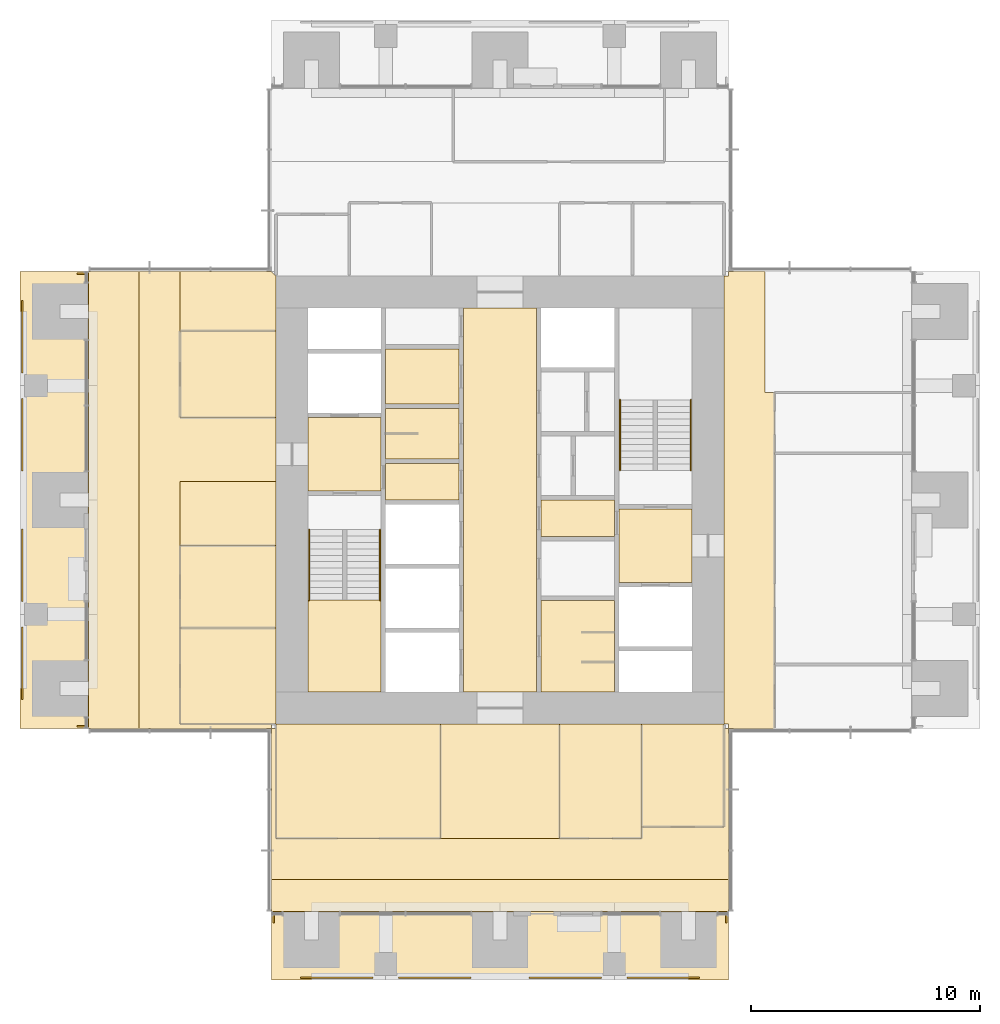
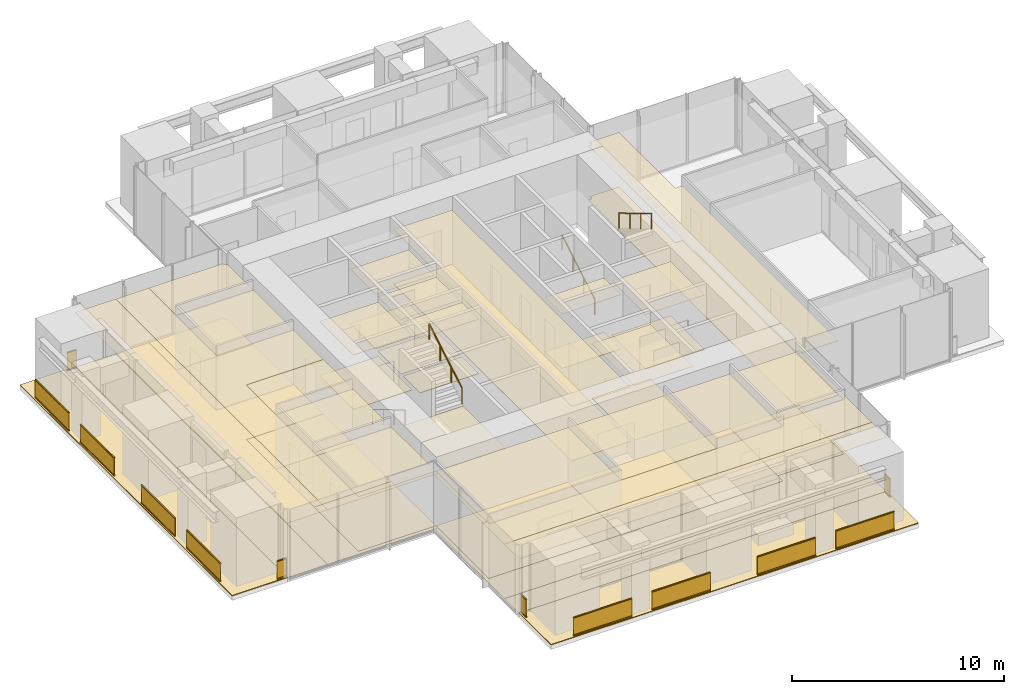
# One storey, part 15 of 17: 47 coverings, 16 railings.
"""IFC4 building model written with IfcOpenShell, lengths in metres."""

from ifc_helpers import new_model, si_unit, direction, frame, origin, origin_2d, place, context, subcontext, project, spatial, polyline, rectangle, circle, outline, extrude, material, layer, layer_set, type_object, element, save


model = new_model("IFC4")

# Units and contexts
model_context = context("Model", 3, precision=1e-05, world=origin(), true_north=direction((0.0, 1.0)))
body_context = subcontext(model_context, "Body", "Model", "MODEL_VIEW")
ifc_project = project(units=[si_unit("LENGTHUNIT", "METRE"), si_unit("AREAUNIT", "SQUARE_METRE"), si_unit("VOLUMEUNIT", "CUBIC_METRE"), si_unit("PLANEANGLEUNIT", "RADIAN"), si_unit("MASSUNIT", "GRAM", prefix="KILO")], contexts=[model_context])

# Site, building, storey
site_placement = place(None, origin())
site = spatial("IfcSite", under=ifc_project, at=site_placement, CompositionType="ELEMENT")
building_placement = place(site_placement, origin())
building = spatial("IfcBuilding", under=site, at=building_placement, Name="Svetlomir Tower", CompositionType="ELEMENT")
storey_placement = place(building_placement, frame((0.0, 0.0, 178.5)))
storey = spatial("IfcBuildingStorey", under=building, at=storey_placement, Name="L42", CompositionType="ELEMENT", Elevation=178.5)

# Railings
ifc_material_1 = material(Name="Bronze anodised aluminium and laminated glass", Category="aluminium")
railing_type_1 = type_object("IfcRailingType", Name="BALCONY GUARD GR1 1100", PredefinedType="GUARDRAIL", material=ifc_material_1)
for number, where, name in (
    (1, (12.27490234375, 0.10009765625, 0.0), "Loggia guard S L42 bay 1"),
    (2, (16.550048828125, 0.10009765625, 0.0), "Loggia guard S L42 bay 2"),
    (3, (22.27490234375, 0.10009765625, 0.0), "Loggia guard S L42 bay 3"),
    (4, (26.550048828125, 0.10009765625, 0.0), "Loggia guard S L42 bay 4"),
):
    element("IfcRailing", number, at=place(storey_placement, frame(where)), inside=storey, type_object=railing_type_1, Name=name, PredefinedType="GUARDRAIL", context=body_context, shape_type="SweptSolid", body=[
        extrude(rectangle(XDim=0.06005859375, YDim=0.10009765625, at=origin_2d()), frame((0.0, 0.0, 0.050048828125), z_axis=(1.0, 0.0, 0.0), x_axis=(0.0, 1.0, 0.0)), (0.0, 0.0, 1.0), 3.175048828125),
        extrude(rectangle(XDim=0.021484375, YDim=0.960205078125, at=origin_2d()), frame((0.0, 0.0, 0.580078125), z_axis=(1.0, 0.0, 0.0), x_axis=(0.0, 1.0, 0.0)), (0.0, 0.0, 1.0), 3.175048828125),
        extrude(rectangle(XDim=0.06005859375, YDim=0.0400390625, at=origin_2d()), frame((0.0, 0.0, 1.080078125), z_axis=(1.0, 0.0, 0.0), x_axis=(0.0, 1.0, 0.0)), (0.0, 0.0, 1.0), 3.175048828125),
    ])
for number, where, name in (
    (5, (11.10009765625, 2.5, 0.0), "Loggia guard S L42 end 1"),
    (6, (30.89990234375, 2.5, 0.0), "Loggia guard S L42 end 2"),
):
    element("IfcRailing", number, at=place(storey_placement, frame(where)), inside=storey, type_object=railing_type_1, Name=name, PredefinedType="GUARDRAIL", context=body_context, shape_type="SweptSolid", body=[
        extrude(rectangle(XDim=0.06005859375, YDim=0.10009765625, at=origin_2d()), frame((0.0, 0.0, 0.050048828125), z_axis=(0.0, 1.0, 0.0), x_axis=(-1.0, 0.0, 0.0)), (0.0, 0.0, 1.0), 0.5),
        extrude(rectangle(XDim=0.021484375, YDim=0.960205078125, at=origin_2d()), frame((0.0, 0.0, 0.580078125), z_axis=(0.0, 1.0, 0.0), x_axis=(-1.0, 0.0, 0.0)), (0.0, 0.0, 1.0), 0.5),
        extrude(rectangle(XDim=0.06005859375, YDim=0.0400390625, at=origin_2d()), frame((0.0, 0.0, 1.080078125), z_axis=(0.0, 1.0, 0.0), x_axis=(-1.0, 0.0, 0.0)), (0.0, 0.0, 1.0), 0.5),
    ])
for number, where, name in (
    (7, (0.10009765625, 12.27490234375, 0.0), "Loggia guard W L42 bay 1"),
    (8, (0.10009765625, 16.550048828125, 0.0), "Loggia guard W L42 bay 2"),
    (9, (0.10009765625, 22.27490234375, 0.0), "Loggia guard W L42 bay 3"),
    (10, (0.10009765625, 26.550048828125, 0.0), "Loggia guard W L42 bay 4"),
):
    element("IfcRailing", number, at=place(storey_placement, frame(where)), inside=storey, type_object=railing_type_1, Name=name, PredefinedType="GUARDRAIL", context=body_context, shape_type="SweptSolid", body=[
        extrude(rectangle(XDim=0.06005859375, YDim=0.10009765625, at=origin_2d()), frame((0.0, 0.0, 0.050048828125), z_axis=(0.0, 1.0, 0.0), x_axis=(-1.0, 0.0, 0.0)), (0.0, 0.0, 1.0), 3.175048828125),
        extrude(rectangle(XDim=0.021484375, YDim=0.960205078125, at=origin_2d()), frame((0.0, 0.0, 0.580078125), z_axis=(0.0, 1.0, 0.0), x_axis=(-1.0, 0.0, 0.0)), (0.0, 0.0, 1.0), 3.175048828125),
        extrude(rectangle(XDim=0.06005859375, YDim=0.0400390625, at=origin_2d()), frame((0.0, 0.0, 1.080078125), z_axis=(0.0, 1.0, 0.0), x_axis=(-1.0, 0.0, 0.0)), (0.0, 0.0, 1.0), 3.175048828125),
    ])
for number, where, name in (
    (11, (2.5, 11.10009765625, 0.0), "Loggia guard W L42 end 1"),
    (12, (2.5, 30.89990234375, 0.0), "Loggia guard W L42 end 2"),
):
    element("IfcRailing", number, at=place(storey_placement, frame(where)), inside=storey, type_object=railing_type_1, Name=name, PredefinedType="GUARDRAIL", context=body_context, shape_type="SweptSolid", body=[
        extrude(rectangle(XDim=0.06005859375, YDim=0.10009765625, at=origin_2d()), frame((0.0, 0.0, 0.050048828125), z_axis=(1.0, 0.0, 0.0), x_axis=(0.0, 1.0, 0.0)), (0.0, 0.0, 1.0), 0.5),
        extrude(rectangle(XDim=0.021484375, YDim=0.960205078125, at=origin_2d()), frame((0.0, 0.0, 0.580078125), z_axis=(1.0, 0.0, 0.0), x_axis=(0.0, 1.0, 0.0)), (0.0, 0.0, 1.0), 0.5),
        extrude(rectangle(XDim=0.06005859375, YDim=0.0400390625, at=origin_2d()), frame((0.0, 0.0, 1.080078125), z_axis=(1.0, 0.0, 0.0), x_axis=(0.0, 1.0, 0.0)), (0.0, 0.0, 1.0), 0.5),
    ])

# Coverings
ifc_material_2 = material(Name="Granite paving slabs on pedestals", Category="masonry")
ifc_layer_1 = layer(ifc_material_2, 0.0400390625)
ifc_layer_set_1 = layer_set([ifc_layer_1], Name="Granite paving slabs on pedestals")
covering_type_1 = type_object("IfcCoveringType", Name="BALCONY PAVING 40", PredefinedType="USERDEFINED", material=ifc_layer_set_1)
covering_1_placement = place(storey_placement, origin())
element("IfcCovering", 13, at=covering_1_placement, inside=storey, type_object=covering_type_1, Name="Loggia paving S L42", ObjectType="BALCONY PAVING", PredefinedType="USERDEFINED", context=body_context, shape_type="SweptSolid", body=[
    extrude(outline(polyline([(11.0, 0.0), (31.0, 0.0), (31.0, 3.0), (11.0, 3.0), (11.0, 0.0)])), origin(), (0.0, 0.0, 1.0), 0.0400390625),
])
covering_2_placement = place(storey_placement, origin())
element("IfcCovering", 14, at=covering_2_placement, inside=storey, type_object=covering_type_1, Name="Loggia paving W L42", ObjectType="BALCONY PAVING", PredefinedType="USERDEFINED", context=body_context, shape_type="SweptSolid", body=[
    extrude(outline(polyline([(0.0, 11.0), (3.0, 11.0), (3.0, 31.0), (0.0, 31.0), (0.0, 11.0)])), origin(), (0.0, 0.0, 1.0), 0.0400390625),
])
ifc_material_3 = material(Name="Carpet tile", Category="textile")
ifc_layer_2 = layer(ifc_material_3, 0.010009765625)
ifc_layer_set_2 = layer_set([ifc_layer_2], Name="Carpet tile")
covering_type_2 = type_object("IfcCoveringType", Name="CARPET TILE FLOOR 10", PredefinedType="FLOORING", material=ifc_layer_set_2)
covering_3_placement = place(storey_placement, origin())
element("IfcCovering", 15, at=covering_3_placement, inside=storey, type_object=covering_type_2, Name="Floor finish L42-17", PredefinedType="FLOORING", context=body_context, shape_type="SweptSolid", body=[
    extrude(outline(polyline([(11.199951171875, 6.199951171875), (18.39990234375, 6.199951171875), (18.39990234375, 11.199951171875), (11.199951171875, 11.199951171875), (11.199951171875, 6.199951171875)])), origin(), (0.0, 0.0, 1.0), 0.010009765625),
])
covering_4_placement = place(storey_placement, origin())
element("IfcCovering", 16, at=covering_4_placement, inside=storey, type_object=covering_type_2, Name="Floor finish L42-18", PredefinedType="FLOORING", context=body_context, shape_type="SweptSolid", body=[
    extrude(outline(polyline([(23.60009765625, 6.199951171875), (27.199951171875, 6.199951171875), (27.199951171875, 11.199951171875), (23.60009765625, 11.199951171875), (23.60009765625, 6.199951171875)])), origin(), (0.0, 0.0, 1.0), 0.010009765625),
])
covering_5_placement = place(storey_placement, origin())
element("IfcCovering", 17, at=covering_5_placement, inside=storey, type_object=covering_type_2, Name="Floor finish L42-19", PredefinedType="FLOORING", context=body_context, shape_type="SweptSolid", body=[
    extrude(outline(polyline([(27.199951171875, 6.699951171875), (30.800048828125, 6.699951171875), (30.800048828125, 11.199951171875), (27.199951171875, 11.199951171875), (27.199951171875, 6.699951171875)])), origin(), (0.0, 0.0, 1.0), 0.010009765625),
])
covering_6_placement = place(storey_placement, origin())
element("IfcCovering", 18, at=covering_6_placement, inside=storey, type_object=covering_type_2, Name="Floor finish L42-28", PredefinedType="FLOORING", context=body_context, shape_type="SweptSolid", body=[
    extrude(outline(polyline([(7.0, 11.199951171875), (11.199951171875, 11.199951171875), (11.199951171875, 15.39990234375), (7.0, 15.39990234375), (7.0, 11.199951171875)])), origin(), (0.0, 0.0, 1.0), 0.010009765625),
])
covering_7_placement = place(storey_placement, origin())
element("IfcCovering", 19, at=covering_7_placement, inside=storey, type_object=covering_type_2, Name="Floor finish L42-29", PredefinedType="FLOORING", context=body_context, shape_type="SweptSolid", body=[
    extrude(outline(polyline([(7.0, 15.39990234375), (11.199951171875, 15.39990234375), (11.199951171875, 19.0), (7.0, 19.0), (7.0, 15.39990234375)])), origin(), (0.0, 0.0, 1.0), 0.010009765625),
])
covering_8_placement = place(storey_placement, origin())
element("IfcCovering", 20, at=covering_8_placement, inside=storey, type_object=covering_type_2, Name="Floor finish L42-30", PredefinedType="FLOORING", context=body_context, shape_type="SweptSolid", body=[
    extrude(outline(polyline([(7.0, 24.60009765625), (11.199951171875, 24.60009765625), (11.199951171875, 28.39990234375), (7.0, 28.39990234375), (7.0, 24.60009765625)])), origin(), (0.0, 0.0, 1.0), 0.010009765625),
])
covering_9_placement = place(storey_placement, origin())
element("IfcCovering", 21, at=covering_9_placement, inside=storey, type_object=covering_type_2, Name="Floor finish L42-31", PredefinedType="FLOORING", context=body_context, shape_type="SweptSolid", body=[
    extrude(outline(polyline([(5.199951171875, 11.0), (5.199951171875, 31.0), (7.0, 31.0), (7.0, 24.60009765625), (11.199951171875, 24.60009765625), (11.199951171875, 21.800048828125), (7.0, 21.800048828125), (7.0, 11.199951171875), (11.0, 11.199951171875), (11.0, 11.0), (5.199951171875, 11.0)])), origin(), (0.0, 0.0, 1.0), 0.010009765625),
])
covering_10_placement = place(storey_placement, origin())
element("IfcCovering", 22, at=covering_10_placement, inside=storey, type_object=covering_type_2, Name="Floor finish L42-32", PredefinedType="FLOORING", context=body_context, shape_type="SweptSolid", body=[
    extrude(outline(polyline([(11.199951171875, 6.199951171875), (27.199951171875, 6.199951171875), (27.199951171875, 6.699951171875), (30.800048828125, 6.699951171875), (30.800048828125, 11.0), (31.0, 11.0), (31.0, 4.39990234375), (11.0, 4.39990234375), (11.0, 11.0), (11.199951171875, 11.0), (11.199951171875, 6.199951171875)])), origin(), (0.0, 0.0, 1.0), 0.010009765625),
])
covering_11_placement = place(storey_placement, origin())
element("IfcCovering", 23, at=covering_11_placement, inside=storey, type_object=covering_type_2, Name="Floor finish L42-33", PredefinedType="FLOORING", context=body_context, shape_type="SweptSolid", body=[
    extrude(outline(polyline([(30.800048828125, 11.199951171875), (30.800048828125, 30.800048828125), (31.0, 30.800048828125), (31.0, 31.0), (32.60009765625, 31.0), (32.60009765625, 25.699951171875), (33.0, 25.699951171875), (33.0, 11.0), (31.0, 11.0), (31.0, 11.199951171875), (30.800048828125, 11.199951171875)])), origin(), (0.0, 0.0, 1.0), 0.010009765625),
])
covering_12_placement = place(storey_placement, origin())
element("IfcCovering", 24, at=covering_12_placement, inside=storey, type_object=covering_type_2, Name="Floor finish L42-35", PredefinedType="FLOORING", context=body_context, shape_type="SweptSolid", body=[
    extrude(outline(polyline([(11.0, 3.0), (11.0, 4.39990234375), (31.0, 4.39990234375), (31.0, 3.0), (11.0, 3.0)])), origin(), (0.0, 0.0, 1.0), 0.010009765625),
])
covering_13_placement = place(storey_placement, origin())
element("IfcCovering", 25, at=covering_13_placement, inside=storey, type_object=covering_type_2, Name="Floor finish L42-36", PredefinedType="FLOORING", context=body_context, shape_type="SweptSolid", body=[
    extrude(outline(polyline([(23.60009765625, 11.199951171875), (23.60009765625, 6.199951171875), (18.39990234375, 6.199951171875), (18.39990234375, 11.199951171875), (23.60009765625, 11.199951171875)])), origin(), (0.0, 0.0, 1.0), 0.010009765625),
])
covering_14_placement = place(storey_placement, origin())
element("IfcCovering", 26, at=covering_14_placement, inside=storey, type_object=covering_type_2, Name="Floor finish L42-41", PredefinedType="FLOORING", context=body_context, shape_type="SweptSolid", body=[
    extrude(outline(polyline([(3.0, 31.0), (5.199951171875, 31.0), (5.199951171875, 11.0), (3.0, 11.0), (3.0, 31.0)])), origin(), (0.0, 0.0, 1.0), 0.010009765625),
])
covering_15_placement = place(storey_placement, origin())
element("IfcCovering", 27, at=covering_15_placement, inside=storey, type_object=covering_type_2, Name="Floor finish L42-42", PredefinedType="FLOORING", context=body_context, shape_type="SweptSolid", body=[
    extrude(outline(polyline([(11.199951171875, 28.39990234375), (7.0, 28.39990234375), (7.0, 31.0), (11.0, 31.0), (11.199951171875, 30.800048828125), (11.199951171875, 28.39990234375)])), origin(), (0.0, 0.0, 1.0), 0.010009765625),
])
covering_16_placement = place(storey_placement, origin())
element("IfcCovering", 28, at=covering_16_placement, inside=storey, type_object=covering_type_2, Name="Floor finish L42-43", PredefinedType="FLOORING", context=body_context, shape_type="SweptSolid", body=[
    extrude(outline(polyline([(7.0, 19.0), (7.0, 21.800048828125), (11.199951171875, 21.800048828125), (11.199951171875, 19.0), (7.0, 19.0)])), origin(), (0.0, 0.0, 1.0), 0.010009765625),
])
ifc_material_4 = material(Name="Ceramic floor tile", Category="ceramic")
ifc_layer_3 = layer(ifc_material_4, 0.014892578125)
ifc_layer_set_3 = layer_set([ifc_layer_3], Name="Ceramic floor tile")
covering_type_3 = type_object("IfcCoveringType", Name="CERAMIC TILE FLOOR 15", PredefinedType="FLOORING", material=ifc_layer_set_3)
covering_17_placement = place(storey_placement, origin())
element("IfcCovering", 29, at=covering_17_placement, inside=storey, type_object=covering_type_3, Name="Floor finish L42-04", PredefinedType="FLOORING", context=body_context, shape_type="SweptSolid", body=[
    extrude(outline(polyline([(16.0, 22.800048828125), (19.199951171875, 22.800048828125), (19.199951171875, 25.0), (16.0, 25.0), (16.0, 22.800048828125)])), origin(), (0.0, 0.0, 1.0), 0.014892578125),
])
covering_18_placement = place(storey_placement, origin())
element("IfcCovering", 30, at=covering_18_placement, inside=storey, type_object=covering_type_3, Name="Floor finish L42-05", PredefinedType="FLOORING", context=body_context, shape_type="SweptSolid", body=[
    extrude(outline(polyline([(16.0, 25.199951171875), (19.199951171875, 25.199951171875), (19.199951171875, 27.60009765625), (16.0, 27.60009765625), (16.0, 25.199951171875)])), origin(), (0.0, 0.0, 1.0), 0.014892578125),
])
covering_19_placement = place(storey_placement, origin())
element("IfcCovering", 31, at=covering_19_placement, inside=storey, type_object=covering_type_3, Name="Floor finish L42-08", PredefinedType="FLOORING", context=body_context, shape_type="SweptSolid", body=[
    extrude(outline(polyline([(22.800048828125, 12.60009765625), (26.0, 12.60009765625), (26.0, 16.60009765625), (22.800048828125, 16.60009765625), (22.800048828125, 12.60009765625)])), origin(), (0.0, 0.0, 1.0), 0.014892578125),
])

# Railings
ifc_material_5 = material(Name="Stainless steel", Category="steel")
railing_type_2 = type_object("IfcRailingType", Name="HANDRAIL HR1 900", PredefinedType="HANDRAIL", material=ifc_material_5)
railing_1_placement = place(storey_placement, frame((12.64990234375, 19.699951171875, 0.166748046875)))
element("IfcRailing", 32, at=railing_1_placement, inside=storey, type_object=railing_type_2, Name="Handrail S1 flight 1 L42", PredefinedType="HANDRAIL", context=body_context, shape_type="SweptSolid", body=[
    extrude(circle(Radius=0.02392578125, at=origin_2d()), frame((0.0, 0.0, 0.8759765625), z_axis=(0.0, -0.859290745958, 0.51148745235), x_axis=(1.0, 0.0, 0.0)), (0.0, 0.0, 1.0), 3.584228515625),
    extrude(circle(Radius=0.02099609375, at=origin_2d()), origin(), (0.0, 0.0, 1.0), 0.851806640625),
    extrude(circle(Radius=0.02099609375, at=origin_2d()), frame((0.0, -1.026611328125, 0.611083984375)), (0.0, 0.0, 1.0), 0.851806640625),
    extrude(circle(Radius=0.02099609375, at=origin_2d()), frame((0.0, -2.05322265625, 1.22216796875)), (0.0, 0.0, 1.0), 0.851806640625),
    extrude(circle(Radius=0.02099609375, at=origin_2d()), frame((0.0, -3.079833984375, 1.833251953125)), (0.0, 0.0, 1.0), 0.851806640625),
])
for number, where, name in (
    (33, (15.75, 16.6201171875, 2.166748046875), "Handrail S1 flight 2 L42"),
    (34, (26.25, 22.300048828125, 0.166748046875), "Handrail S2 flight 1 L42"),
):
    element("IfcRailing", number, at=place(storey_placement, frame(where)), inside=storey, type_object=railing_type_2, Name=name, PredefinedType="HANDRAIL", context=body_context, shape_type="SweptSolid", body=[
        extrude(circle(Radius=0.02392578125, at=origin_2d()), frame((0.0, 0.0, 0.8759765625), z_axis=(0.0, 0.859290745958, 0.51148745235), x_axis=(-1.0, 0.0, 0.0)), (0.0, 0.0, 1.0), 3.584228515625),
        extrude(circle(Radius=0.02099609375, at=origin_2d()), origin(), (0.0, 0.0, 1.0), 0.851806640625),
        extrude(circle(Radius=0.02099609375, at=origin_2d()), frame((0.0, 1.026611328125, 0.611083984375)), (0.0, 0.0, 1.0), 0.851806640625),
        extrude(circle(Radius=0.02099609375, at=origin_2d()), frame((0.0, 2.05322265625, 1.22216796875)), (0.0, 0.0, 1.0), 0.851806640625),
        extrude(circle(Radius=0.02099609375, at=origin_2d()), frame((0.0, 3.079833984375, 1.833251953125)), (0.0, 0.0, 1.0), 0.851806640625),
    ])
railing_2_placement = place(storey_placement, frame((29.35009765625, 25.3798828125, 2.166748046875)))
element("IfcRailing", 35, at=railing_2_placement, inside=storey, type_object=railing_type_2, Name="Handrail S2 flight 2 L42", PredefinedType="HANDRAIL", context=body_context, shape_type="SweptSolid", body=[
    extrude(circle(Radius=0.02392578125, at=origin_2d()), frame((0.0, 0.0, 0.8759765625), z_axis=(0.0, -0.859290745958, 0.51148745235), x_axis=(1.0, 0.0, 0.0)), (0.0, 0.0, 1.0), 3.584228515625),
    extrude(circle(Radius=0.02099609375, at=origin_2d()), origin(), (0.0, 0.0, 1.0), 0.851806640625),
    extrude(circle(Radius=0.02099609375, at=origin_2d()), frame((0.0, -1.026611328125, 0.611083984375)), (0.0, 0.0, 1.0), 0.851806640625),
    extrude(circle(Radius=0.02099609375, at=origin_2d()), frame((0.0, -2.05322265625, 1.22216796875)), (0.0, 0.0, 1.0), 0.851806640625),
    extrude(circle(Radius=0.02099609375, at=origin_2d()), frame((0.0, -3.079833984375, 1.833251953125)), (0.0, 0.0, 1.0), 0.851806640625),
])

# Coverings
ifc_material_6 = material(Name="Moisture resistant plasterboard ceiling", Category="gypsum")
ifc_layer_4 = layer(ifc_material_6, 0.012451171875)
ifc_layer_set_4 = layer_set([ifc_layer_4], Name="Moisture resistant plasterboard ceiling")
covering_type_4 = type_object("IfcCoveringType", Name="MOISTURE RESISTANT CEILING 12.5", PredefinedType="CEILING", material=ifc_layer_set_4)
covering_20_placement = place(storey_placement, frame((0.0, 0.0, 3.137451171875)))
element("IfcCovering", 36, at=covering_20_placement, inside=storey, type_object=covering_type_4, Name="Ceiling L42-04", PredefinedType="CEILING", context=body_context, shape_type="SweptSolid", body=[
    extrude(outline(polyline([(16.0, 22.800048828125), (19.199951171875, 22.800048828125), (19.199951171875, 25.0), (16.0, 25.0), (16.0, 22.800048828125)])), origin(), (0.0, 0.0, 1.0), 0.012451171875),
])
covering_21_placement = place(storey_placement, frame((0.0, 0.0, 3.137451171875)))
element("IfcCovering", 37, at=covering_21_placement, inside=storey, type_object=covering_type_4, Name="Ceiling L42-05", PredefinedType="CEILING", context=body_context, shape_type="SweptSolid", body=[
    extrude(outline(polyline([(16.0, 25.199951171875), (19.199951171875, 25.199951171875), (19.199951171875, 27.60009765625), (16.0, 27.60009765625), (16.0, 25.199951171875)])), origin(), (0.0, 0.0, 1.0), 0.012451171875),
])
covering_22_placement = place(storey_placement, frame((0.0, 0.0, 3.137451171875)))
element("IfcCovering", 38, at=covering_22_placement, inside=storey, type_object=covering_type_4, Name="Ceiling L42-08", PredefinedType="CEILING", context=body_context, shape_type="SweptSolid", body=[
    extrude(outline(polyline([(22.800048828125, 12.60009765625), (26.0, 12.60009765625), (26.0, 16.60009765625), (22.800048828125, 16.60009765625), (22.800048828125, 12.60009765625)])), origin(), (0.0, 0.0, 1.0), 0.012451171875),
])
ifc_material_7 = material(Name="Gypsum plasterboard ceiling", Category="gypsum")
ifc_layer_5 = layer(ifc_material_7, 0.014892578125)
ifc_layer_set_5 = layer_set([ifc_layer_5], Name="Gypsum plasterboard ceiling")
covering_type_5 = type_object("IfcCoveringType", Name="PLASTERBOARD CEILING 15", PredefinedType="CEILING", material=ifc_layer_set_5)
covering_23_placement = place(storey_placement, frame((0.0, 0.0, 3.135009765625)))
element("IfcCovering", 39, at=covering_23_placement, inside=storey, type_object=covering_type_5, Name="Ceiling L42-02", PredefinedType="CEILING", context=body_context, shape_type="SweptSolid", body=[
    extrude(outline(polyline([(12.60009765625, 21.39990234375), (15.800048828125, 21.39990234375), (15.800048828125, 24.60009765625), (12.60009765625, 24.60009765625), (12.60009765625, 21.39990234375)])), origin(), (0.0, 0.0, 1.0), 0.014892578125),
])
covering_24_placement = place(storey_placement, frame((0.0, 0.0, 3.135009765625)))
element("IfcCovering", 40, at=covering_24_placement, inside=storey, type_object=covering_type_5, Name="Ceiling L42-03", PredefinedType="CEILING", context=body_context, shape_type="SweptSolid", body=[
    extrude(outline(polyline([(16.0, 21.0), (19.199951171875, 21.0), (19.199951171875, 22.60009765625), (16.0, 22.60009765625), (16.0, 21.0)])), origin(), (0.0, 0.0, 1.0), 0.014892578125),
])
covering_25_placement = place(storey_placement, frame((0.0, 0.0, 3.135009765625)))
element("IfcCovering", 41, at=covering_25_placement, inside=storey, type_object=covering_type_5, Name="Ceiling L42-07", PredefinedType="CEILING", context=body_context, shape_type="SweptSolid", body=[
    extrude(outline(polyline([(19.39990234375, 12.60009765625), (22.60009765625, 12.60009765625), (22.60009765625, 29.39990234375), (19.39990234375, 29.39990234375), (19.39990234375, 12.60009765625)])), origin(), (0.0, 0.0, 1.0), 0.014892578125),
])
covering_26_placement = place(storey_placement, frame((0.0, 0.0, 3.135009765625)))
element("IfcCovering", 42, at=covering_26_placement, inside=storey, type_object=covering_type_5, Name="Ceiling L42-10", PredefinedType="CEILING", context=body_context, shape_type="SweptSolid", body=[
    extrude(outline(polyline([(22.800048828125, 19.39990234375), (26.0, 19.39990234375), (26.0, 21.0), (22.800048828125, 21.0), (22.800048828125, 19.39990234375)])), origin(), (0.0, 0.0, 1.0), 0.014892578125),
])
covering_27_placement = place(storey_placement, frame((0.0, 0.0, 3.135009765625)))
element("IfcCovering", 43, at=covering_27_placement, inside=storey, type_object=covering_type_5, Name="Ceiling L42-11", PredefinedType="CEILING", context=body_context, shape_type="SweptSolid", body=[
    extrude(outline(polyline([(26.199951171875, 17.39990234375), (29.39990234375, 17.39990234375), (29.39990234375, 20.60009765625), (26.199951171875, 20.60009765625), (26.199951171875, 17.39990234375)])), origin(), (0.0, 0.0, 1.0), 0.014892578125),
])
ifc_material_8 = material(Name="Studded rubber floor finish", Category="rubber")
ifc_layer_6 = layer(ifc_material_8, 0.006103515625)
ifc_layer_set_6 = layer_set([ifc_layer_6], Name="Studded rubber floor finish")
covering_type_6 = type_object("IfcCoveringType", Name="RUBBER LANDING FINISH 6", PredefinedType="FLOORING", material=ifc_layer_set_6)
covering_28_placement = place(storey_placement, frame((0.0, 0.0, 2.0)))
element("IfcCovering", 44, at=covering_28_placement, inside=storey, type_object=covering_type_6, Name="Stair S1 landing finish L42", PredefinedType="FLOORING", context=body_context, shape_type="SweptSolid", body=[
    extrude(outline(polyline([(12.60009765625, 12.60009765625), (15.800048828125, 12.60009765625), (15.800048828125, 16.6201171875), (12.60009765625, 16.6201171875), (12.60009765625, 12.60009765625)])), origin(), (0.0, 0.0, 1.0), 0.006103515625),
])
ifc_material_9 = material(Name="Mineral fibre ceiling tile", Category="mineral")
ifc_layer_7 = layer(ifc_material_9, 0.02001953125)
ifc_layer_set_7 = layer_set([ifc_layer_7], Name="Mineral fibre ceiling tile")
covering_type_7 = type_object("IfcCoveringType", Name="SUSPENDED CEILING 20", PredefinedType="CEILING", material=ifc_layer_set_7)
covering_29_placement = place(storey_placement, frame((0.0, 0.0, 3.1298828125)))
element("IfcCovering", 45, at=covering_29_placement, inside=storey, type_object=covering_type_7, Name="Ceiling L42-17", PredefinedType="CEILING", context=body_context, shape_type="SweptSolid", body=[
    extrude(outline(polyline([(11.199951171875, 6.199951171875), (18.39990234375, 6.199951171875), (18.39990234375, 11.199951171875), (11.199951171875, 11.199951171875), (11.199951171875, 6.199951171875)])), origin(), (0.0, 0.0, 1.0), 0.02001953125),
])
covering_30_placement = place(storey_placement, frame((0.0, 0.0, 3.1298828125)))
element("IfcCovering", 46, at=covering_30_placement, inside=storey, type_object=covering_type_7, Name="Ceiling L42-18", PredefinedType="CEILING", context=body_context, shape_type="SweptSolid", body=[
    extrude(outline(polyline([(23.60009765625, 6.199951171875), (27.199951171875, 6.199951171875), (27.199951171875, 11.199951171875), (23.60009765625, 11.199951171875), (23.60009765625, 6.199951171875)])), origin(), (0.0, 0.0, 1.0), 0.02001953125),
])
covering_31_placement = place(storey_placement, frame((0.0, 0.0, 3.1298828125)))
element("IfcCovering", 47, at=covering_31_placement, inside=storey, type_object=covering_type_7, Name="Ceiling L42-19", PredefinedType="CEILING", context=body_context, shape_type="SweptSolid", body=[
    extrude(outline(polyline([(27.199951171875, 6.699951171875), (30.800048828125, 6.699951171875), (30.800048828125, 11.199951171875), (27.199951171875, 11.199951171875), (27.199951171875, 6.699951171875)])), origin(), (0.0, 0.0, 1.0), 0.02001953125),
])
covering_32_placement = place(storey_placement, frame((0.0, 0.0, 3.1298828125)))
element("IfcCovering", 48, at=covering_32_placement, inside=storey, type_object=covering_type_7, Name="Ceiling L42-28", PredefinedType="CEILING", context=body_context, shape_type="SweptSolid", body=[
    extrude(outline(polyline([(7.0, 11.199951171875), (11.199951171875, 11.199951171875), (11.199951171875, 15.39990234375), (7.0, 15.39990234375), (7.0, 11.199951171875)])), origin(), (0.0, 0.0, 1.0), 0.02001953125),
])
covering_33_placement = place(storey_placement, frame((0.0, 0.0, 3.1298828125)))
element("IfcCovering", 49, at=covering_33_placement, inside=storey, type_object=covering_type_7, Name="Ceiling L42-29", PredefinedType="CEILING", context=body_context, shape_type="SweptSolid", body=[
    extrude(outline(polyline([(7.0, 15.39990234375), (11.199951171875, 15.39990234375), (11.199951171875, 19.0), (7.0, 19.0), (7.0, 15.39990234375)])), origin(), (0.0, 0.0, 1.0), 0.02001953125),
])
covering_34_placement = place(storey_placement, frame((0.0, 0.0, 3.1298828125)))
element("IfcCovering", 50, at=covering_34_placement, inside=storey, type_object=covering_type_7, Name="Ceiling L42-30", PredefinedType="CEILING", context=body_context, shape_type="SweptSolid", body=[
    extrude(outline(polyline([(7.0, 24.60009765625), (11.199951171875, 24.60009765625), (11.199951171875, 28.39990234375), (7.0, 28.39990234375), (7.0, 24.60009765625)])), origin(), (0.0, 0.0, 1.0), 0.02001953125),
])
covering_35_placement = place(storey_placement, frame((0.0, 0.0, 3.1298828125)))
element("IfcCovering", 51, at=covering_35_placement, inside=storey, type_object=covering_type_7, Name="Ceiling L42-31", PredefinedType="CEILING", context=body_context, shape_type="SweptSolid", body=[
    extrude(outline(polyline([(5.199951171875, 11.0), (5.199951171875, 31.0), (7.0, 31.0), (7.0, 24.60009765625), (11.199951171875, 24.60009765625), (11.199951171875, 21.800048828125), (7.0, 21.800048828125), (7.0, 11.199951171875), (11.0, 11.199951171875), (11.0, 11.0), (5.199951171875, 11.0)])), origin(), (0.0, 0.0, 1.0), 0.02001953125),
])
covering_36_placement = place(storey_placement, frame((0.0, 0.0, 3.1298828125)))
element("IfcCovering", 52, at=covering_36_placement, inside=storey, type_object=covering_type_7, Name="Ceiling L42-32", PredefinedType="CEILING", context=body_context, shape_type="SweptSolid", body=[
    extrude(outline(polyline([(11.199951171875, 6.199951171875), (27.199951171875, 6.199951171875), (27.199951171875, 6.699951171875), (30.800048828125, 6.699951171875), (30.800048828125, 11.0), (31.0, 11.0), (31.0, 4.39990234375), (11.0, 4.39990234375), (11.0, 11.0), (11.199951171875, 11.0), (11.199951171875, 6.199951171875)])), origin(), (0.0, 0.0, 1.0), 0.02001953125),
])
covering_37_placement = place(storey_placement, frame((0.0, 0.0, 3.1298828125)))
element("IfcCovering", 53, at=covering_37_placement, inside=storey, type_object=covering_type_7, Name="Ceiling L42-33", PredefinedType="CEILING", context=body_context, shape_type="SweptSolid", body=[
    extrude(outline(polyline([(30.800048828125, 11.199951171875), (30.800048828125, 30.800048828125), (31.0, 30.800048828125), (31.0, 31.0), (32.60009765625, 31.0), (32.60009765625, 25.699951171875), (33.0, 25.699951171875), (33.0, 11.0), (31.0, 11.0), (31.0, 11.199951171875), (30.800048828125, 11.199951171875)])), origin(), (0.0, 0.0, 1.0), 0.02001953125),
])
covering_38_placement = place(storey_placement, frame((0.0, 0.0, 3.1298828125)))
element("IfcCovering", 54, at=covering_38_placement, inside=storey, type_object=covering_type_7, Name="Ceiling L42-35", PredefinedType="CEILING", context=body_context, shape_type="SweptSolid", body=[
    extrude(outline(polyline([(11.0, 3.0), (11.0, 4.39990234375), (31.0, 4.39990234375), (31.0, 3.0), (11.0, 3.0)])), origin(), (0.0, 0.0, 1.0), 0.02001953125),
])
covering_39_placement = place(storey_placement, frame((0.0, 0.0, 3.1298828125)))
element("IfcCovering", 55, at=covering_39_placement, inside=storey, type_object=covering_type_7, Name="Ceiling L42-36", PredefinedType="CEILING", context=body_context, shape_type="SweptSolid", body=[
    extrude(outline(polyline([(23.60009765625, 11.199951171875), (23.60009765625, 6.199951171875), (18.39990234375, 6.199951171875), (18.39990234375, 11.199951171875), (23.60009765625, 11.199951171875)])), origin(), (0.0, 0.0, 1.0), 0.02001953125),
])
covering_40_placement = place(storey_placement, frame((0.0, 0.0, 3.1298828125)))
element("IfcCovering", 56, at=covering_40_placement, inside=storey, type_object=covering_type_7, Name="Ceiling L42-41", PredefinedType="CEILING", context=body_context, shape_type="SweptSolid", body=[
    extrude(outline(polyline([(3.0, 31.0), (5.199951171875, 31.0), (5.199951171875, 11.0), (3.0, 11.0), (3.0, 31.0)])), origin(), (0.0, 0.0, 1.0), 0.02001953125),
])
covering_41_placement = place(storey_placement, frame((0.0, 0.0, 3.1298828125)))
element("IfcCovering", 57, at=covering_41_placement, inside=storey, type_object=covering_type_7, Name="Ceiling L42-42", PredefinedType="CEILING", context=body_context, shape_type="SweptSolid", body=[
    extrude(outline(polyline([(11.199951171875, 28.39990234375), (7.0, 28.39990234375), (7.0, 31.0), (11.0, 31.0), (11.199951171875, 30.800048828125), (11.199951171875, 28.39990234375)])), origin(), (0.0, 0.0, 1.0), 0.02001953125),
])
covering_42_placement = place(storey_placement, frame((0.0, 0.0, 3.1298828125)))
element("IfcCovering", 58, at=covering_42_placement, inside=storey, type_object=covering_type_7, Name="Ceiling L42-43", PredefinedType="CEILING", context=body_context, shape_type="SweptSolid", body=[
    extrude(outline(polyline([(7.0, 19.0), (7.0, 21.800048828125), (11.199951171875, 21.800048828125), (11.199951171875, 19.0), (7.0, 19.0)])), origin(), (0.0, 0.0, 1.0), 0.02001953125),
])
ifc_material_10 = material(Name="Bronze-aggregate terrazzo", Category="stone")
ifc_layer_8 = layer(ifc_material_10, 0.030029296875)
ifc_layer_set_8 = layer_set([ifc_layer_8], Name="Bronze-aggregate terrazzo")
covering_type_8 = type_object("IfcCoveringType", Name="TERRAZZO FLOOR 30", PredefinedType="FLOORING", material=ifc_layer_set_8)
covering_43_placement = place(storey_placement, origin())
element("IfcCovering", 59, at=covering_43_placement, inside=storey, type_object=covering_type_8, Name="Floor finish L42-02", PredefinedType="FLOORING", context=body_context, shape_type="SweptSolid", body=[
    extrude(outline(polyline([(12.60009765625, 21.39990234375), (15.800048828125, 21.39990234375), (15.800048828125, 24.60009765625), (12.60009765625, 24.60009765625), (12.60009765625, 21.39990234375)])), origin(), (0.0, 0.0, 1.0), 0.030029296875),
])
covering_44_placement = place(storey_placement, origin())
element("IfcCovering", 60, at=covering_44_placement, inside=storey, type_object=covering_type_8, Name="Floor finish L42-03", PredefinedType="FLOORING", context=body_context, shape_type="SweptSolid", body=[
    extrude(outline(polyline([(16.0, 21.0), (19.199951171875, 21.0), (19.199951171875, 22.60009765625), (16.0, 22.60009765625), (16.0, 21.0)])), origin(), (0.0, 0.0, 1.0), 0.030029296875),
])
covering_45_placement = place(storey_placement, origin())
element("IfcCovering", 61, at=covering_45_placement, inside=storey, type_object=covering_type_8, Name="Floor finish L42-07", PredefinedType="FLOORING", context=body_context, shape_type="SweptSolid", body=[
    extrude(outline(polyline([(19.39990234375, 12.60009765625), (22.60009765625, 12.60009765625), (22.60009765625, 29.39990234375), (19.39990234375, 29.39990234375), (19.39990234375, 12.60009765625)])), origin(), (0.0, 0.0, 1.0), 0.030029296875),
])
covering_46_placement = place(storey_placement, origin())
element("IfcCovering", 62, at=covering_46_placement, inside=storey, type_object=covering_type_8, Name="Floor finish L42-10", PredefinedType="FLOORING", context=body_context, shape_type="SweptSolid", body=[
    extrude(outline(polyline([(22.800048828125, 19.39990234375), (26.0, 19.39990234375), (26.0, 21.0), (22.800048828125, 21.0), (22.800048828125, 19.39990234375)])), origin(), (0.0, 0.0, 1.0), 0.030029296875),
])
covering_47_placement = place(storey_placement, origin())
element("IfcCovering", 63, at=covering_47_placement, inside=storey, type_object=covering_type_8, Name="Floor finish L42-11", PredefinedType="FLOORING", context=body_context, shape_type="SweptSolid", body=[
    extrude(outline(polyline([(26.199951171875, 17.39990234375), (29.39990234375, 17.39990234375), (29.39990234375, 20.60009765625), (26.199951171875, 20.60009765625), (26.199951171875, 17.39990234375)])), origin(), (0.0, 0.0, 1.0), 0.030029296875),
])

save(model, "model.ifc")
